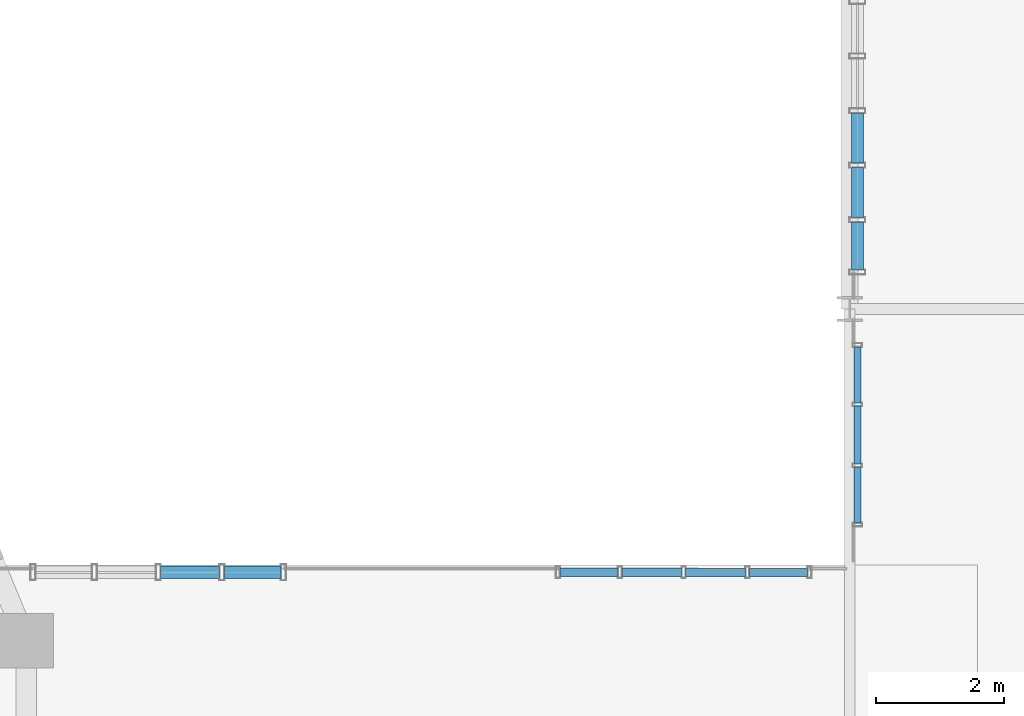
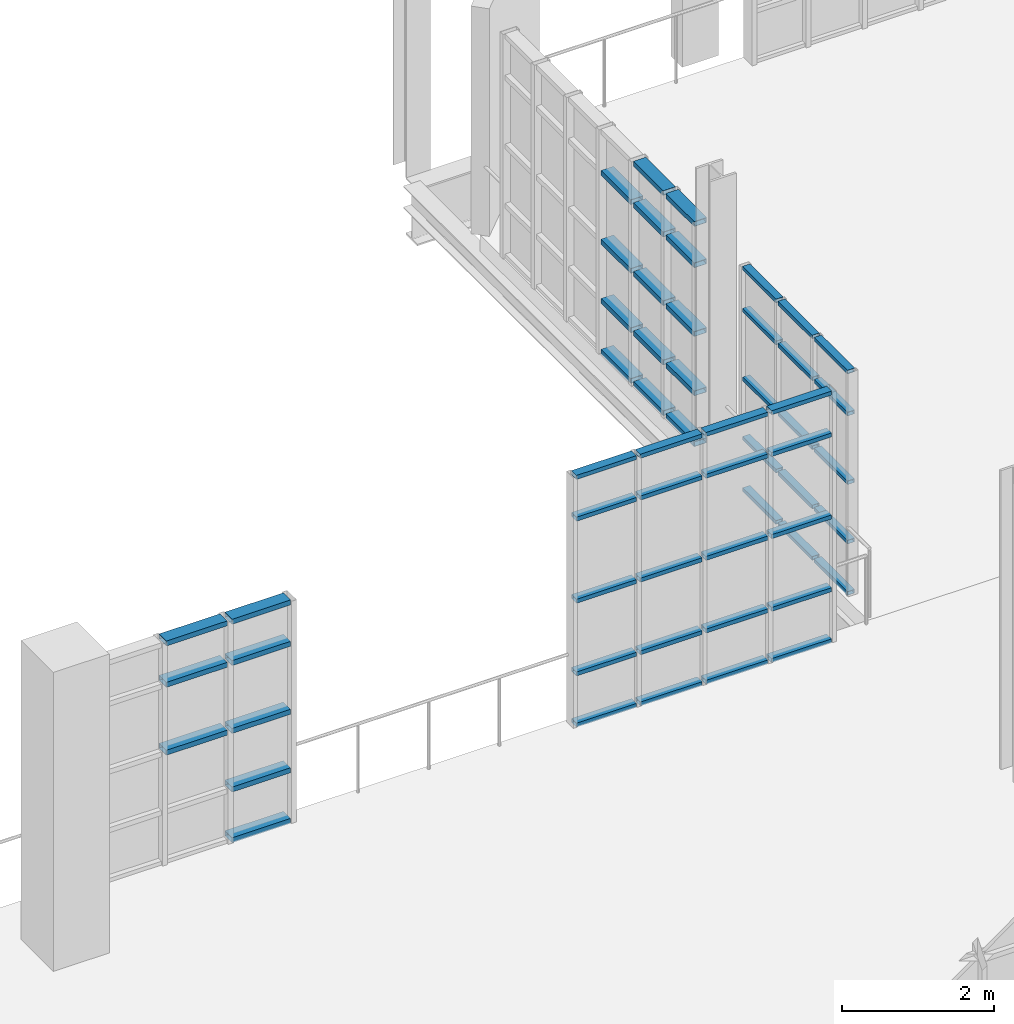
# One storey, part 70 of 122: 57 members, 4 elements without a shape of their own.
"""IFC4 building model written with IfcOpenShell, lengths in metres."""

from ifc_helpers import new_model, si_unit, direction, frame, origin, origin_2d, place, context, subcontext, project, spatial, hollow_rectangle, extrude, material, layer, layer_set, material_profile, profile_set, type_object, element, aggregate, save


model = new_model("IFC4")

# Units and contexts
model_context = context("Model", 3, precision=1e-05, world=origin(), true_north=direction((0.0, 1.0)))
body_context = subcontext(model_context, "Body", "Model", "MODEL_VIEW")
ifc_project = project(units=[si_unit("LENGTHUNIT", "METRE"), si_unit("AREAUNIT", "SQUARE_METRE"), si_unit("VOLUMEUNIT", "CUBIC_METRE"), si_unit("PLANEANGLEUNIT", "RADIAN"), si_unit("MASSUNIT", "GRAM", prefix="KILO"), si_unit("THERMODYNAMICTEMPERATUREUNIT", "KELVIN"), si_unit("POWERUNIT", "WATT")], contexts=[model_context])

# Site, building, storey
site_placement = place(None, origin())
site = spatial("IfcSite", under=ifc_project, at=site_placement, CompositionType="ELEMENT")
building_placement = place(site_placement, origin())
building = spatial("IfcBuilding", under=site, at=building_placement, Name="Zelmaris Science Centre", CompositionType="ELEMENT")
storey_placement = place(building_placement, frame((0.0, 0.0, 10.800048828125)))
storey = spatial("IfcBuildingStorey", under=building, at=storey_placement, Name="L02", CompositionType="ELEMENT", Elevation=10.800048828125)

# Curtain wall, members
ifc_material = material(Name="Anodised architectural aluminium 6063-T6", Category="aluminium")
ifc_layer_1 = layer(ifc_material, 0.219970703125, Name="Anodised architectural aluminium 6063-T6")
ifc_layer_set_1 = layer_set([ifc_layer_1], Name="Anodised architectural aluminium 6063-T6")
curtain_wall_type_1 = type_object("IfcCurtainWallType", Name="Curtain Wall CW-04", PredefinedType="USERDEFINED", material=ifc_layer_set_1)
curtain_wall_1_placement = place(storey_placement, origin())
curtain_wall_1 = element("IfcCurtainWall", 1, at=curtain_wall_1_placement, inside=storey, type_object=curtain_wall_type_1, Name="L02 Unitised curtain wall 204", ObjectType="GLAZED CURTAIN WALL", PredefinedType="USERDEFINED")
ifc_material_profile_1 = material_profile(ifc_material, hollow_rectangle(XDim=0.06005859375, YDim=0.110107421875, WallThickness=0.0029296875, at=origin_2d()), Name="ALU-TRN-60X110")
ifc_profile_set_1 = profile_set([ifc_material_profile_1], Name="Anodised architectural aluminium 6063-T6")
member_type_1 = type_object("IfcMemberType", Name="ALU-TRN-60X110", PredefinedType="USERDEFINED", material=ifc_profile_set_1)
member_1_placement = place(storey_placement, frame((54.1201171875, 76.652099609375, 0.010986328125), z_axis=(0.0, 1.0, 0.0), x_axis=(0.0, 0.0, 1.0)))
member_1 = element("IfcMember", 2, at=member_1_placement, type_object=member_type_1, Name="CW-04 transom 1.1", ObjectType="TRANSOM", PredefinedType="USERDEFINED", context=body_context, shape_type="SweptSolid", body=[
    extrude(hollow_rectangle(XDim=0.06005859375, YDim=0.110107421875, WallThickness=0.0029296875, at=origin_2d()), origin(), (0.0, 0.0, 1.0), 0.875244140625),
])
member_2_placement = place(storey_placement, frame((54.1201171875, 76.652099609375, 0.8349609375), z_axis=(0.0, 1.0, 0.0), x_axis=(0.0, 0.0, 1.0)))
member_2 = element("IfcMember", 3, at=member_2_placement, type_object=member_type_1, Name="CW-04 transom 1.2", ObjectType="TRANSOM", PredefinedType="USERDEFINED", context=body_context, shape_type="SweptSolid", body=[
    extrude(hollow_rectangle(XDim=0.06005859375, YDim=0.110107421875, WallThickness=0.0029296875, at=origin_2d()), origin(), (0.0, 0.0, 1.0), 0.875244140625),
])
member_3_placement = place(storey_placement, frame((54.1201171875, 76.652099609375, 1.787841796875), z_axis=(0.0, 1.0, 0.0), x_axis=(0.0, 0.0, 1.0)))
member_3 = element("IfcMember", 4, at=member_3_placement, type_object=member_type_1, Name="CW-04 transom 1.3", ObjectType="TRANSOM", PredefinedType="USERDEFINED", context=body_context, shape_type="SweptSolid", body=[
    extrude(hollow_rectangle(XDim=0.06005859375, YDim=0.110107421875, WallThickness=0.0029296875, at=origin_2d()), origin(), (0.0, 0.0, 1.0), 0.875244140625),
])
member_4_placement = place(storey_placement, frame((54.1201171875, 76.652099609375, 2.890869140625), z_axis=(0.0, 1.0, 0.0), x_axis=(0.0, 0.0, 1.0)))
member_4 = element("IfcMember", 5, at=member_4_placement, type_object=member_type_1, Name="CW-04 transom 1.4", ObjectType="TRANSOM", PredefinedType="USERDEFINED", context=body_context, shape_type="SweptSolid", body=[
    extrude(hollow_rectangle(XDim=0.06005859375, YDim=0.110107421875, WallThickness=0.0029296875, at=origin_2d()), origin(), (0.0, 0.0, 1.0), 0.875244140625),
])
member_5_placement = place(storey_placement, frame((54.1201171875, 76.652099609375, 3.56494140625), z_axis=(0.0, 1.0, 0.0), x_axis=(0.0, 0.0, 1.0)))
member_5 = element("IfcMember", 6, at=member_5_placement, type_object=member_type_1, Name="CW-04 transom 1.5", ObjectType="TRANSOM", PredefinedType="USERDEFINED", context=body_context, shape_type="SweptSolid", body=[
    extrude(hollow_rectangle(XDim=0.06005859375, YDim=0.110107421875, WallThickness=0.0029296875, at=origin_2d()), origin(), (0.0, 0.0, 1.0), 0.875244140625),
])
member_6_placement = place(storey_placement, frame((54.1201171875, 77.579345703125, 0.010986328125), z_axis=(0.0, 1.0, 0.0), x_axis=(0.0, 0.0, 1.0)))
member_6 = element("IfcMember", 7, at=member_6_placement, type_object=member_type_1, Name="CW-04 transom 2.1", ObjectType="TRANSOM", PredefinedType="USERDEFINED", context=body_context, shape_type="SweptSolid", body=[
    extrude(hollow_rectangle(XDim=0.06005859375, YDim=0.110107421875, WallThickness=0.0029296875, at=origin_2d()), origin(), (0.0, 0.0, 1.0), 0.9013671875),
])
member_7_placement = place(storey_placement, frame((54.1201171875, 77.579345703125, 0.8349609375), z_axis=(0.0, 1.0, 0.0), x_axis=(0.0, 0.0, 1.0)))
member_7 = element("IfcMember", 8, at=member_7_placement, type_object=member_type_1, Name="CW-04 transom 2.2", ObjectType="TRANSOM", PredefinedType="USERDEFINED", context=body_context, shape_type="SweptSolid", body=[
    extrude(hollow_rectangle(XDim=0.06005859375, YDim=0.110107421875, WallThickness=0.0029296875, at=origin_2d()), origin(), (0.0, 0.0, 1.0), 0.9013671875),
])
member_8_placement = place(storey_placement, frame((54.1201171875, 77.579345703125, 1.787841796875), z_axis=(0.0, 1.0, 0.0), x_axis=(0.0, 0.0, 1.0)))
member_8 = element("IfcMember", 9, at=member_8_placement, type_object=member_type_1, Name="CW-04 transom 2.3", ObjectType="TRANSOM", PredefinedType="USERDEFINED", context=body_context, shape_type="SweptSolid", body=[
    extrude(hollow_rectangle(XDim=0.06005859375, YDim=0.110107421875, WallThickness=0.0029296875, at=origin_2d()), origin(), (0.0, 0.0, 1.0), 0.9013671875),
])
member_9_placement = place(storey_placement, frame((54.1201171875, 77.579345703125, 2.890869140625), z_axis=(0.0, 1.0, 0.0), x_axis=(0.0, 0.0, 1.0)))
member_9 = element("IfcMember", 10, at=member_9_placement, type_object=member_type_1, Name="CW-04 transom 2.4", ObjectType="TRANSOM", PredefinedType="USERDEFINED", context=body_context, shape_type="SweptSolid", body=[
    extrude(hollow_rectangle(XDim=0.06005859375, YDim=0.110107421875, WallThickness=0.0029296875, at=origin_2d()), origin(), (0.0, 0.0, 1.0), 0.9013671875),
])
member_10_placement = place(storey_placement, frame((54.1201171875, 77.579345703125, 3.56494140625), z_axis=(0.0, 1.0, 0.0), x_axis=(0.0, 0.0, 1.0)))
member_10 = element("IfcMember", 11, at=member_10_placement, type_object=member_type_1, Name="CW-04 transom 2.5", ObjectType="TRANSOM", PredefinedType="USERDEFINED", context=body_context, shape_type="SweptSolid", body=[
    extrude(hollow_rectangle(XDim=0.06005859375, YDim=0.110107421875, WallThickness=0.0029296875, at=origin_2d()), origin(), (0.0, 0.0, 1.0), 0.9013671875),
])
member_11_placement = place(storey_placement, frame((54.1201171875, 78.53271484375, 0.010986328125), z_axis=(0.0, 1.0, 0.0), x_axis=(0.0, 0.0, 1.0)))
member_11 = element("IfcMember", 12, at=member_11_placement, type_object=member_type_1, Name="CW-04 transom 3.1", ObjectType="TRANSOM", PredefinedType="USERDEFINED", context=body_context, shape_type="SweptSolid", body=[
    extrude(hollow_rectangle(XDim=0.06005859375, YDim=0.110107421875, WallThickness=0.0029296875, at=origin_2d()), origin(), (0.0, 0.0, 1.0), 0.875244140625),
])
member_12_placement = place(storey_placement, frame((54.1201171875, 78.53271484375, 0.8349609375), z_axis=(0.0, 1.0, 0.0), x_axis=(0.0, 0.0, 1.0)))
member_12 = element("IfcMember", 13, at=member_12_placement, type_object=member_type_1, Name="CW-04 transom 3.2", ObjectType="TRANSOM", PredefinedType="USERDEFINED", context=body_context, shape_type="SweptSolid", body=[
    extrude(hollow_rectangle(XDim=0.06005859375, YDim=0.110107421875, WallThickness=0.0029296875, at=origin_2d()), origin(), (0.0, 0.0, 1.0), 0.875244140625),
])
member_13_placement = place(storey_placement, frame((54.1201171875, 78.53271484375, 1.787841796875), z_axis=(0.0, 1.0, 0.0), x_axis=(0.0, 0.0, 1.0)))
member_13 = element("IfcMember", 14, at=member_13_placement, type_object=member_type_1, Name="CW-04 transom 3.3", ObjectType="TRANSOM", PredefinedType="USERDEFINED", context=body_context, shape_type="SweptSolid", body=[
    extrude(hollow_rectangle(XDim=0.06005859375, YDim=0.110107421875, WallThickness=0.0029296875, at=origin_2d()), origin(), (0.0, 0.0, 1.0), 0.875244140625),
])
member_14_placement = place(storey_placement, frame((54.1201171875, 78.53271484375, 2.890869140625), z_axis=(0.0, 1.0, 0.0), x_axis=(0.0, 0.0, 1.0)))
member_14 = element("IfcMember", 15, at=member_14_placement, type_object=member_type_1, Name="CW-04 transom 3.4", ObjectType="TRANSOM", PredefinedType="USERDEFINED", context=body_context, shape_type="SweptSolid", body=[
    extrude(hollow_rectangle(XDim=0.06005859375, YDim=0.110107421875, WallThickness=0.0029296875, at=origin_2d()), origin(), (0.0, 0.0, 1.0), 0.875244140625),
])
member_15_placement = place(storey_placement, frame((54.1201171875, 78.53271484375, 3.56494140625), z_axis=(0.0, 1.0, 0.0), x_axis=(0.0, 0.0, 1.0)))
member_15 = element("IfcMember", 16, at=member_15_placement, type_object=member_type_1, Name="CW-04 transom 3.5", ObjectType="TRANSOM", PredefinedType="USERDEFINED", context=body_context, shape_type="SweptSolid", body=[
    extrude(hollow_rectangle(XDim=0.06005859375, YDim=0.110107421875, WallThickness=0.0029296875, at=origin_2d()), origin(), (0.0, 0.0, 1.0), 0.875244140625),
])
aggregate(curtain_wall_1, [member_1, member_2, member_3, member_4, member_5, member_6, member_7, member_8, member_9, member_10, member_11, member_12, member_13, member_14, member_15])

ifc_layer_2 = layer(ifc_material, 0.2099609375, Name="Anodised architectural aluminium 6063-T6")
ifc_layer_set_2 = layer_set([ifc_layer_2], Name="Anodised architectural aluminium 6063-T6")
curtain_wall_type_2 = type_object("IfcCurtainWallType", Name="Curtain Wall CW-03", PredefinedType="USERDEFINED", material=ifc_layer_set_2)
curtain_wall_2_placement = place(storey_placement, origin())
curtain_wall_2 = element("IfcCurtainWall", 17, at=curtain_wall_2_placement, inside=storey, type_object=curtain_wall_type_2, Name="L02 Unitised curtain wall 203", ObjectType="GLAZED CURTAIN WALL", PredefinedType="USERDEFINED")
ifc_material_profile_2 = material_profile(ifc_material, hollow_rectangle(XDim=0.06494140625, YDim=0.1298828125, WallThickness=0.00341796875, at=origin_2d()), Name="ALU-TRN-65X130")
ifc_profile_set_2 = profile_set([ifc_material_profile_2], Name="Anodised architectural aluminium 6063-T6")
member_type_2 = type_object("IfcMemberType", Name="ALU-TRN-65X130", PredefinedType="USERDEFINED", material=ifc_profile_set_2)
member_16_placement = place(storey_placement, frame((49.468017578125, 75.880859375, 0.013427734375), z_axis=(0.999999964139, -0.00026780931, 0.0), x_axis=(0.0, 0.0, 1.0)))
member_16 = element("IfcMember", 18, at=member_16_placement, type_object=member_type_2, Name="CW-03 transom 1.1", ObjectType="TRANSOM", PredefinedType="USERDEFINED", context=body_context, shape_type="SweptSolid", body=[
    extrude(hollow_rectangle(XDim=0.06494140625, YDim=0.1298828125, WallThickness=0.00341796875, at=origin_2d()), origin(), (0.0, 0.0, 1.0), 0.91162109375),
])
member_17_placement = place(storey_placement, frame((49.468017578125, 75.880859375, 0.8349609375), z_axis=(0.999999964139, -0.00026780931, 0.0), x_axis=(0.0, 0.0, 1.0)))
member_17 = element("IfcMember", 19, at=member_17_placement, type_object=member_type_2, Name="CW-03 transom 1.2", ObjectType="TRANSOM", PredefinedType="USERDEFINED", context=body_context, shape_type="SweptSolid", body=[
    extrude(hollow_rectangle(XDim=0.06494140625, YDim=0.1298828125, WallThickness=0.00341796875, at=origin_2d()), origin(), (0.0, 0.0, 1.0), 0.91162109375),
])
member_18_placement = place(storey_placement, frame((49.468017578125, 75.880859375, 2.00244140625), z_axis=(0.999999964139, -0.00026780931, 0.0), x_axis=(0.0, 0.0, 1.0)))
member_18 = element("IfcMember", 20, at=member_18_placement, type_object=member_type_2, Name="CW-03 transom 1.3", ObjectType="TRANSOM", PredefinedType="USERDEFINED", context=body_context, shape_type="SweptSolid", body=[
    extrude(hollow_rectangle(XDim=0.06494140625, YDim=0.1298828125, WallThickness=0.00341796875, at=origin_2d()), origin(), (0.0, 0.0, 1.0), 0.91162109375),
])
member_19_placement = place(storey_placement, frame((49.468017578125, 75.880859375, 3.320068359375), z_axis=(0.999999964139, -0.00026780931, 0.0), x_axis=(0.0, 0.0, 1.0)))
member_19 = element("IfcMember", 21, at=member_19_placement, type_object=member_type_2, Name="CW-03 transom 1.4", ObjectType="TRANSOM", PredefinedType="USERDEFINED", context=body_context, shape_type="SweptSolid", body=[
    extrude(hollow_rectangle(XDim=0.06494140625, YDim=0.1298828125, WallThickness=0.00341796875, at=origin_2d()), origin(), (0.0, 0.0, 1.0), 0.91162109375),
])
member_20_placement = place(storey_placement, frame((49.468017578125, 75.880859375, 3.991455078125), z_axis=(0.999999964139, -0.00026780931, 0.0), x_axis=(0.0, 0.0, 1.0)))
member_20 = element("IfcMember", 22, at=member_20_placement, type_object=member_type_2, Name="CW-03 transom 1.5", ObjectType="TRANSOM", PredefinedType="USERDEFINED", context=body_context, shape_type="SweptSolid", body=[
    extrude(hollow_rectangle(XDim=0.06494140625, YDim=0.1298828125, WallThickness=0.00341796875, at=origin_2d()), origin(), (0.0, 0.0, 1.0), 0.91162109375),
])
member_21_placement = place(storey_placement, frame((50.436767578125, 75.880615234375, 0.013427734375), z_axis=(1.0, 0.0, 0.0), x_axis=(0.0, 0.0, 1.0)))
member_21 = element("IfcMember", 23, at=member_21_placement, type_object=member_type_2, Name="CW-03 transom 2.1", ObjectType="TRANSOM", PredefinedType="USERDEFINED", context=body_context, shape_type="SweptSolid", body=[
    extrude(hollow_rectangle(XDim=0.06494140625, YDim=0.1298828125, WallThickness=0.00341796875, at=origin_2d()), origin(), (0.0, 0.0, 1.0), 0.940185546875),
])
member_22_placement = place(storey_placement, frame((50.436767578125, 75.880615234375, 0.8349609375), z_axis=(1.0, 0.0, 0.0), x_axis=(0.0, 0.0, 1.0)))
member_22 = element("IfcMember", 24, at=member_22_placement, type_object=member_type_2, Name="CW-03 transom 2.2", ObjectType="TRANSOM", PredefinedType="USERDEFINED", context=body_context, shape_type="SweptSolid", body=[
    extrude(hollow_rectangle(XDim=0.06494140625, YDim=0.1298828125, WallThickness=0.00341796875, at=origin_2d()), origin(), (0.0, 0.0, 1.0), 0.940185546875),
])
member_23_placement = place(storey_placement, frame((50.436767578125, 75.880615234375, 2.00244140625), z_axis=(1.0, 0.0, 0.0), x_axis=(0.0, 0.0, 1.0)))
member_23 = element("IfcMember", 25, at=member_23_placement, type_object=member_type_2, Name="CW-03 transom 2.3", ObjectType="TRANSOM", PredefinedType="USERDEFINED", context=body_context, shape_type="SweptSolid", body=[
    extrude(hollow_rectangle(XDim=0.06494140625, YDim=0.1298828125, WallThickness=0.00341796875, at=origin_2d()), origin(), (0.0, 0.0, 1.0), 0.940185546875),
])
member_24_placement = place(storey_placement, frame((50.436767578125, 75.880615234375, 3.320068359375), z_axis=(1.0, 0.0, 0.0), x_axis=(0.0, 0.0, 1.0)))
member_24 = element("IfcMember", 26, at=member_24_placement, type_object=member_type_2, Name="CW-03 transom 2.4", ObjectType="TRANSOM", PredefinedType="USERDEFINED", context=body_context, shape_type="SweptSolid", body=[
    extrude(hollow_rectangle(XDim=0.06494140625, YDim=0.1298828125, WallThickness=0.00341796875, at=origin_2d()), origin(), (0.0, 0.0, 1.0), 0.940185546875),
])
member_25_placement = place(storey_placement, frame((50.436767578125, 75.880615234375, 3.991455078125), z_axis=(1.0, 0.0, 0.0), x_axis=(0.0, 0.0, 1.0)))
member_25 = element("IfcMember", 27, at=member_25_placement, type_object=member_type_2, Name="CW-03 transom 2.5", ObjectType="TRANSOM", PredefinedType="USERDEFINED", context=body_context, shape_type="SweptSolid", body=[
    extrude(hollow_rectangle(XDim=0.06494140625, YDim=0.1298828125, WallThickness=0.00341796875, at=origin_2d()), origin(), (0.0, 0.0, 1.0), 0.940185546875),
])
member_26_placement = place(storey_placement, frame((51.433837890625, 75.880615234375, 0.013427734375), z_axis=(0.999999966303, -0.000259605391, 0.0), x_axis=(0.0, 0.0, 1.0)))
member_26 = element("IfcMember", 28, at=member_26_placement, type_object=member_type_2, Name="CW-03 transom 3.1", ObjectType="TRANSOM", PredefinedType="USERDEFINED", context=body_context, shape_type="SweptSolid", body=[
    extrude(hollow_rectangle(XDim=0.06494140625, YDim=0.1298828125, WallThickness=0.00341796875, at=origin_2d()), origin(), (0.0, 0.0, 1.0), 0.9404296875),
])
member_27_placement = place(storey_placement, frame((51.433837890625, 75.880615234375, 0.8349609375), z_axis=(0.999999966303, -0.000259605391, 0.0), x_axis=(0.0, 0.0, 1.0)))
member_27 = element("IfcMember", 29, at=member_27_placement, type_object=member_type_2, Name="CW-03 transom 3.2", ObjectType="TRANSOM", PredefinedType="USERDEFINED", context=body_context, shape_type="SweptSolid", body=[
    extrude(hollow_rectangle(XDim=0.06494140625, YDim=0.1298828125, WallThickness=0.00341796875, at=origin_2d()), origin(), (0.0, 0.0, 1.0), 0.9404296875),
])
member_28_placement = place(storey_placement, frame((51.433837890625, 75.880615234375, 2.00244140625), z_axis=(0.999999966303, -0.000259605391, 0.0), x_axis=(0.0, 0.0, 1.0)))
member_28 = element("IfcMember", 30, at=member_28_placement, type_object=member_type_2, Name="CW-03 transom 3.3", ObjectType="TRANSOM", PredefinedType="USERDEFINED", context=body_context, shape_type="SweptSolid", body=[
    extrude(hollow_rectangle(XDim=0.06494140625, YDim=0.1298828125, WallThickness=0.00341796875, at=origin_2d()), origin(), (0.0, 0.0, 1.0), 0.9404296875),
])
member_29_placement = place(storey_placement, frame((51.433837890625, 75.880615234375, 3.320068359375), z_axis=(0.999999966303, -0.000259605391, 0.0), x_axis=(0.0, 0.0, 1.0)))
member_29 = element("IfcMember", 31, at=member_29_placement, type_object=member_type_2, Name="CW-03 transom 3.4", ObjectType="TRANSOM", PredefinedType="USERDEFINED", context=body_context, shape_type="SweptSolid", body=[
    extrude(hollow_rectangle(XDim=0.06494140625, YDim=0.1298828125, WallThickness=0.00341796875, at=origin_2d()), origin(), (0.0, 0.0, 1.0), 0.9404296875),
])
member_30_placement = place(storey_placement, frame((51.433837890625, 75.880615234375, 3.991455078125), z_axis=(0.999999966303, -0.000259605391, 0.0), x_axis=(0.0, 0.0, 1.0)))
member_30 = element("IfcMember", 32, at=member_30_placement, type_object=member_type_2, Name="CW-03 transom 3.5", ObjectType="TRANSOM", PredefinedType="USERDEFINED", context=body_context, shape_type="SweptSolid", body=[
    extrude(hollow_rectangle(XDim=0.06494140625, YDim=0.1298828125, WallThickness=0.00341796875, at=origin_2d()), origin(), (0.0, 0.0, 1.0), 0.9404296875),
])
member_31_placement = place(storey_placement, frame((52.43115234375, 75.88037109375, 0.013427734375), z_axis=(0.999999964158, -0.000267737608, 0.0), x_axis=(0.0, 0.0, 1.0)))
member_31 = element("IfcMember", 33, at=member_31_placement, type_object=member_type_2, Name="CW-03 transom 4.1", ObjectType="TRANSOM", PredefinedType="USERDEFINED", context=body_context, shape_type="SweptSolid", body=[
    extrude(hollow_rectangle(XDim=0.06494140625, YDim=0.1298828125, WallThickness=0.00341796875, at=origin_2d()), origin(), (0.0, 0.0, 1.0), 0.911865234375),
])
member_32_placement = place(storey_placement, frame((52.43115234375, 75.88037109375, 0.8349609375), z_axis=(0.999999964158, -0.000267737608, 0.0), x_axis=(0.0, 0.0, 1.0)))
member_32 = element("IfcMember", 34, at=member_32_placement, type_object=member_type_2, Name="CW-03 transom 4.2", ObjectType="TRANSOM", PredefinedType="USERDEFINED", context=body_context, shape_type="SweptSolid", body=[
    extrude(hollow_rectangle(XDim=0.06494140625, YDim=0.1298828125, WallThickness=0.00341796875, at=origin_2d()), origin(), (0.0, 0.0, 1.0), 0.911865234375),
])
member_33_placement = place(storey_placement, frame((52.43115234375, 75.88037109375, 2.00244140625), z_axis=(0.999999964158, -0.000267737608, 0.0), x_axis=(0.0, 0.0, 1.0)))
member_33 = element("IfcMember", 35, at=member_33_placement, type_object=member_type_2, Name="CW-03 transom 4.3", ObjectType="TRANSOM", PredefinedType="USERDEFINED", context=body_context, shape_type="SweptSolid", body=[
    extrude(hollow_rectangle(XDim=0.06494140625, YDim=0.1298828125, WallThickness=0.00341796875, at=origin_2d()), origin(), (0.0, 0.0, 1.0), 0.911865234375),
])
member_34_placement = place(storey_placement, frame((52.43115234375, 75.88037109375, 3.320068359375), z_axis=(0.999999964158, -0.000267737608, 0.0), x_axis=(0.0, 0.0, 1.0)))
member_34 = element("IfcMember", 36, at=member_34_placement, type_object=member_type_2, Name="CW-03 transom 4.4", ObjectType="TRANSOM", PredefinedType="USERDEFINED", context=body_context, shape_type="SweptSolid", body=[
    extrude(hollow_rectangle(XDim=0.06494140625, YDim=0.1298828125, WallThickness=0.00341796875, at=origin_2d()), origin(), (0.0, 0.0, 1.0), 0.911865234375),
])
member_35_placement = place(storey_placement, frame((52.43115234375, 75.88037109375, 3.991455078125), z_axis=(0.999999964158, -0.000267737608, 0.0), x_axis=(0.0, 0.0, 1.0)))
member_35 = element("IfcMember", 37, at=member_35_placement, type_object=member_type_2, Name="CW-03 transom 4.5", ObjectType="TRANSOM", PredefinedType="USERDEFINED", context=body_context, shape_type="SweptSolid", body=[
    extrude(hollow_rectangle(XDim=0.06494140625, YDim=0.1298828125, WallThickness=0.00341796875, at=origin_2d()), origin(), (0.0, 0.0, 1.0), 0.911865234375),
])
aggregate(curtain_wall_2, [member_16, member_17, member_18, member_19, member_20, member_21, member_22, member_23, member_24, member_25, member_26, member_27, member_28, member_29, member_30, member_31, member_32, member_33, member_34, member_35])

ifc_layer_3 = layer(ifc_material, 0.18994140625, Name="Anodised architectural aluminium 6063-T6")
ifc_layer_set_3 = layer_set([ifc_layer_3], Name="Anodised architectural aluminium 6063-T6")
curtain_wall_type_3 = type_object("IfcCurtainWallType", Name="Curtain Wall CW-01", PredefinedType="USERDEFINED", material=ifc_layer_set_3)
curtain_wall_3_placement = place(storey_placement, origin())
curtain_wall_3 = element("IfcCurtainWall", 38, at=curtain_wall_3_placement, inside=storey, type_object=curtain_wall_type_3, Name="L02 Unitised curtain wall 201", ObjectType="GLAZED CURTAIN WALL", PredefinedType="USERDEFINED")
ifc_material_profile_3 = material_profile(ifc_material, hollow_rectangle(XDim=0.080078125, YDim=0.18994140625, WallThickness=0.00439453125, at=origin_2d()), Name="ALU-TRN-80X190")
ifc_profile_set_3 = profile_set([ifc_material_profile_3], Name="Anodised architectural aluminium 6063-T6")
member_type_3 = type_object("IfcMemberType", Name="ALU-TRN-80X190", PredefinedType="USERDEFINED", material=ifc_profile_set_3)
member_36_placement = place(storey_placement, frame((43.223388671875, 75.882080078125, 1.77490234375), z_axis=(0.999999965173, -0.00026392187, 0.0), x_axis=(0.0, 0.0, 1.0)))
member_36 = element("IfcMember", 39, at=member_36_placement, type_object=member_type_3, Name="CW-01 transom 3.3", ObjectType="TRANSOM", PredefinedType="USERDEFINED", context=body_context, shape_type="SweptSolid", body=[
    extrude(hollow_rectangle(XDim=0.080078125, YDim=0.18994140625, WallThickness=0.00439453125, at=origin_2d()), origin(), (0.0, 0.0, 1.0), 0.925048828125),
])
member_37_placement = place(storey_placement, frame((43.223388671875, 75.882080078125, 2.864990234375), z_axis=(0.999999965173, -0.00026392187, 0.0), x_axis=(0.0, 0.0, 1.0)))
member_37 = element("IfcMember", 40, at=member_37_placement, type_object=member_type_3, Name="CW-01 transom 3.4", ObjectType="TRANSOM", PredefinedType="USERDEFINED", context=body_context, shape_type="SweptSolid", body=[
    extrude(hollow_rectangle(XDim=0.080078125, YDim=0.18994140625, WallThickness=0.00439453125, at=origin_2d()), origin(), (0.0, 0.0, 1.0), 0.925048828125),
])
member_38_placement = place(storey_placement, frame((43.223388671875, 75.882080078125, 3.529052734375), z_axis=(0.999999965173, -0.00026392187, 0.0), x_axis=(0.0, 0.0, 1.0)))
member_38 = element("IfcMember", 41, at=member_38_placement, type_object=member_type_3, Name="CW-01 transom 3.5", ObjectType="TRANSOM", PredefinedType="USERDEFINED", context=body_context, shape_type="SweptSolid", body=[
    extrude(hollow_rectangle(XDim=0.080078125, YDim=0.18994140625, WallThickness=0.00439453125, at=origin_2d()), origin(), (0.0, 0.0, 1.0), 0.925048828125),
])
member_39_placement = place(storey_placement, frame((44.220458984375, 75.8818359375, 0.02099609375), z_axis=(1.0, 0.0, 0.0), x_axis=(0.0, 0.0, 1.0)))
member_39 = element("IfcMember", 42, at=member_39_placement, type_object=member_type_3, Name="CW-01 transom 4.1", ObjectType="TRANSOM", PredefinedType="USERDEFINED", context=body_context, shape_type="SweptSolid", body=[
    extrude(hollow_rectangle(XDim=0.080078125, YDim=0.18994140625, WallThickness=0.00439453125, at=origin_2d()), origin(), (0.0, 0.0, 1.0), 0.889404296875),
])
member_40_placement = place(storey_placement, frame((44.220458984375, 75.8818359375, 0.8349609375), z_axis=(1.0, 0.0, 0.0), x_axis=(0.0, 0.0, 1.0)))
member_40 = element("IfcMember", 43, at=member_40_placement, type_object=member_type_3, Name="CW-01 transom 4.2", ObjectType="TRANSOM", PredefinedType="USERDEFINED", context=body_context, shape_type="SweptSolid", body=[
    extrude(hollow_rectangle(XDim=0.080078125, YDim=0.18994140625, WallThickness=0.00439453125, at=origin_2d()), origin(), (0.0, 0.0, 1.0), 0.889404296875),
])
member_41_placement = place(storey_placement, frame((44.220458984375, 75.8818359375, 1.77490234375), z_axis=(1.0, 0.0, 0.0), x_axis=(0.0, 0.0, 1.0)))
member_41 = element("IfcMember", 44, at=member_41_placement, type_object=member_type_3, Name="CW-01 transom 4.3", ObjectType="TRANSOM", PredefinedType="USERDEFINED", context=body_context, shape_type="SweptSolid", body=[
    extrude(hollow_rectangle(XDim=0.080078125, YDim=0.18994140625, WallThickness=0.00439453125, at=origin_2d()), origin(), (0.0, 0.0, 1.0), 0.889404296875),
])
member_42_placement = place(storey_placement, frame((44.220458984375, 75.8818359375, 2.864990234375), z_axis=(1.0, 0.0, 0.0), x_axis=(0.0, 0.0, 1.0)))
member_42 = element("IfcMember", 45, at=member_42_placement, type_object=member_type_3, Name="CW-01 transom 4.4", ObjectType="TRANSOM", PredefinedType="USERDEFINED", context=body_context, shape_type="SweptSolid", body=[
    extrude(hollow_rectangle(XDim=0.080078125, YDim=0.18994140625, WallThickness=0.00439453125, at=origin_2d()), origin(), (0.0, 0.0, 1.0), 0.889404296875),
])
member_43_placement = place(storey_placement, frame((44.220458984375, 75.8818359375, 3.529052734375), z_axis=(1.0, 0.0, 0.0), x_axis=(0.0, 0.0, 1.0)))
member_43 = element("IfcMember", 46, at=member_43_placement, type_object=member_type_3, Name="CW-01 transom 4.5", ObjectType="TRANSOM", PredefinedType="USERDEFINED", context=body_context, shape_type="SweptSolid", body=[
    extrude(hollow_rectangle(XDim=0.080078125, YDim=0.18994140625, WallThickness=0.00439453125, at=origin_2d()), origin(), (0.0, 0.0, 1.0), 0.889404296875),
])
aggregate(curtain_wall_3, [member_36, member_37, member_38, member_39, member_40, member_41, member_42, member_43])

curtain_wall_4_placement = place(storey_placement, origin())
curtain_wall_4 = element("IfcCurtainWall", 47, at=curtain_wall_4_placement, inside=storey, type_object=curtain_wall_type_3, Name="L02 Unitised curtain wall 205", ObjectType="GLAZED CURTAIN WALL", PredefinedType="USERDEFINED")
member_44_placement = place(storey_placement, frame((54.1201171875, 80.612060546875, 0.02099609375), z_axis=(0.0, 1.0, 0.0), x_axis=(0.0, 0.0, 1.0)))
member_44 = element("IfcMember", 48, at=member_44_placement, type_object=member_type_3, Name="CW-01 transom 1.1", ObjectType="TRANSOM", PredefinedType="USERDEFINED", context=body_context, shape_type="SweptSolid", body=[
    extrude(hollow_rectangle(XDim=0.080078125, YDim=0.18994140625, WallThickness=0.00439453125, at=origin_2d()), origin(), (0.0, 0.0, 1.0), 0.745361328125),
])
member_45_placement = place(storey_placement, frame((54.1201171875, 80.612060546875, 0.8349609375), z_axis=(0.0, 1.0, 0.0), x_axis=(0.0, 0.0, 1.0)))
member_45 = element("IfcMember", 49, at=member_45_placement, type_object=member_type_3, Name="CW-01 transom 1.2", ObjectType="TRANSOM", PredefinedType="USERDEFINED", context=body_context, shape_type="SweptSolid", body=[
    extrude(hollow_rectangle(XDim=0.080078125, YDim=0.18994140625, WallThickness=0.00439453125, at=origin_2d()), origin(), (0.0, 0.0, 1.0), 0.745361328125),
])
member_46_placement = place(storey_placement, frame((54.1201171875, 80.612060546875, 1.787841796875), z_axis=(0.0, 1.0, 0.0), x_axis=(0.0, 0.0, 1.0)))
member_46 = element("IfcMember", 50, at=member_46_placement, type_object=member_type_3, Name="CW-01 transom 1.3", ObjectType="TRANSOM", PredefinedType="USERDEFINED", context=body_context, shape_type="SweptSolid", body=[
    extrude(hollow_rectangle(XDim=0.080078125, YDim=0.18994140625, WallThickness=0.00439453125, at=origin_2d()), origin(), (0.0, 0.0, 1.0), 0.745361328125),
])
member_47_placement = place(storey_placement, frame((54.1201171875, 80.612060546875, 2.890869140625), z_axis=(0.0, 1.0, 0.0), x_axis=(0.0, 0.0, 1.0)))
member_47 = element("IfcMember", 51, at=member_47_placement, type_object=member_type_3, Name="CW-01 transom 1.4", ObjectType="TRANSOM", PredefinedType="USERDEFINED", context=body_context, shape_type="SweptSolid", body=[
    extrude(hollow_rectangle(XDim=0.080078125, YDim=0.18994140625, WallThickness=0.00439453125, at=origin_2d()), origin(), (0.0, 0.0, 1.0), 0.745361328125),
])
member_48_placement = place(storey_placement, frame((54.1201171875, 80.612060546875, 3.554931640625), z_axis=(0.0, 1.0, 0.0), x_axis=(0.0, 0.0, 1.0)))
member_48 = element("IfcMember", 52, at=member_48_placement, type_object=member_type_3, Name="CW-01 transom 1.5", ObjectType="TRANSOM", PredefinedType="USERDEFINED", context=body_context, shape_type="SweptSolid", body=[
    extrude(hollow_rectangle(XDim=0.080078125, YDim=0.18994140625, WallThickness=0.00439453125, at=origin_2d()), origin(), (0.0, 0.0, 1.0), 0.745361328125),
])
member_49_placement = place(storey_placement, frame((54.1201171875, 81.429443359375, 0.02099609375), z_axis=(0.0, 1.0, 0.0), x_axis=(0.0, 0.0, 1.0)))
member_49 = element("IfcMember", 53, at=member_49_placement, type_object=member_type_3, Name="CW-01 transom 2.1", ObjectType="TRANSOM", PredefinedType="USERDEFINED", context=body_context, shape_type="SweptSolid", body=[
    extrude(hollow_rectangle(XDim=0.080078125, YDim=0.18994140625, WallThickness=0.00439453125, at=origin_2d()), origin(), (0.0, 0.0, 1.0), 0.78125),
])
member_50_placement = place(storey_placement, frame((54.1201171875, 81.429443359375, 0.8349609375), z_axis=(0.0, 1.0, 0.0), x_axis=(0.0, 0.0, 1.0)))
member_50 = element("IfcMember", 54, at=member_50_placement, type_object=member_type_3, Name="CW-01 transom 2.2", ObjectType="TRANSOM", PredefinedType="USERDEFINED", context=body_context, shape_type="SweptSolid", body=[
    extrude(hollow_rectangle(XDim=0.080078125, YDim=0.18994140625, WallThickness=0.00439453125, at=origin_2d()), origin(), (0.0, 0.0, 1.0), 0.78125),
])
member_51_placement = place(storey_placement, frame((54.1201171875, 81.429443359375, 1.787841796875), z_axis=(0.0, 1.0, 0.0), x_axis=(0.0, 0.0, 1.0)))
member_51 = element("IfcMember", 55, at=member_51_placement, type_object=member_type_3, Name="CW-01 transom 2.3", ObjectType="TRANSOM", PredefinedType="USERDEFINED", context=body_context, shape_type="SweptSolid", body=[
    extrude(hollow_rectangle(XDim=0.080078125, YDim=0.18994140625, WallThickness=0.00439453125, at=origin_2d()), origin(), (0.0, 0.0, 1.0), 0.78125),
])
member_52_placement = place(storey_placement, frame((54.1201171875, 81.429443359375, 2.890869140625), z_axis=(0.0, 1.0, 0.0), x_axis=(0.0, 0.0, 1.0)))
member_52 = element("IfcMember", 56, at=member_52_placement, type_object=member_type_3, Name="CW-01 transom 2.4", ObjectType="TRANSOM", PredefinedType="USERDEFINED", context=body_context, shape_type="SweptSolid", body=[
    extrude(hollow_rectangle(XDim=0.080078125, YDim=0.18994140625, WallThickness=0.00439453125, at=origin_2d()), origin(), (0.0, 0.0, 1.0), 0.78125),
])
member_53_placement = place(storey_placement, frame((54.1201171875, 81.429443359375, 3.554931640625), z_axis=(0.0, 1.0, 0.0), x_axis=(0.0, 0.0, 1.0)))
member_53 = element("IfcMember", 57, at=member_53_placement, type_object=member_type_3, Name="CW-01 transom 2.5", ObjectType="TRANSOM", PredefinedType="USERDEFINED", context=body_context, shape_type="SweptSolid", body=[
    extrude(hollow_rectangle(XDim=0.080078125, YDim=0.18994140625, WallThickness=0.00439453125, at=origin_2d()), origin(), (0.0, 0.0, 1.0), 0.78125),
])
member_54_placement = place(storey_placement, frame((54.1201171875, 82.28271484375, 0.02099609375), z_axis=(0.0, 1.0, 0.0), x_axis=(0.0, 0.0, 1.0)))
member_54 = element("IfcMember", 58, at=member_54_placement, type_object=member_type_3, Name="CW-01 transom 3.1", ObjectType="TRANSOM", PredefinedType="USERDEFINED", context=body_context, shape_type="SweptSolid", body=[
    extrude(hollow_rectangle(XDim=0.080078125, YDim=0.18994140625, WallThickness=0.00439453125, at=origin_2d()), origin(), (0.0, 0.0, 1.0), 0.78125),
])
member_55_placement = place(storey_placement, frame((54.1201171875, 82.28271484375, 0.8349609375), z_axis=(0.0, 1.0, 0.0), x_axis=(0.0, 0.0, 1.0)))
member_55 = element("IfcMember", 59, at=member_55_placement, type_object=member_type_3, Name="CW-01 transom 3.2", ObjectType="TRANSOM", PredefinedType="USERDEFINED", context=body_context, shape_type="SweptSolid", body=[
    extrude(hollow_rectangle(XDim=0.080078125, YDim=0.18994140625, WallThickness=0.00439453125, at=origin_2d()), origin(), (0.0, 0.0, 1.0), 0.78125),
])
member_56_placement = place(storey_placement, frame((54.1201171875, 82.28271484375, 1.787841796875), z_axis=(0.0, 1.0, 0.0), x_axis=(0.0, 0.0, 1.0)))
member_56 = element("IfcMember", 60, at=member_56_placement, type_object=member_type_3, Name="CW-01 transom 3.3", ObjectType="TRANSOM", PredefinedType="USERDEFINED", context=body_context, shape_type="SweptSolid", body=[
    extrude(hollow_rectangle(XDim=0.080078125, YDim=0.18994140625, WallThickness=0.00439453125, at=origin_2d()), origin(), (0.0, 0.0, 1.0), 0.78125),
])
member_57_placement = place(storey_placement, frame((54.1201171875, 82.28271484375, 2.890869140625), z_axis=(0.0, 1.0, 0.0), x_axis=(0.0, 0.0, 1.0)))
member_57 = element("IfcMember", 61, at=member_57_placement, type_object=member_type_3, Name="CW-01 transom 3.4", ObjectType="TRANSOM", PredefinedType="USERDEFINED", context=body_context, shape_type="SweptSolid", body=[
    extrude(hollow_rectangle(XDim=0.080078125, YDim=0.18994140625, WallThickness=0.00439453125, at=origin_2d()), origin(), (0.0, 0.0, 1.0), 0.78125),
])
aggregate(curtain_wall_4, [member_44, member_45, member_46, member_47, member_48, member_49, member_50, member_51, member_52, member_53, member_54, member_55, member_56, member_57])

save(model, "model.ifc")
